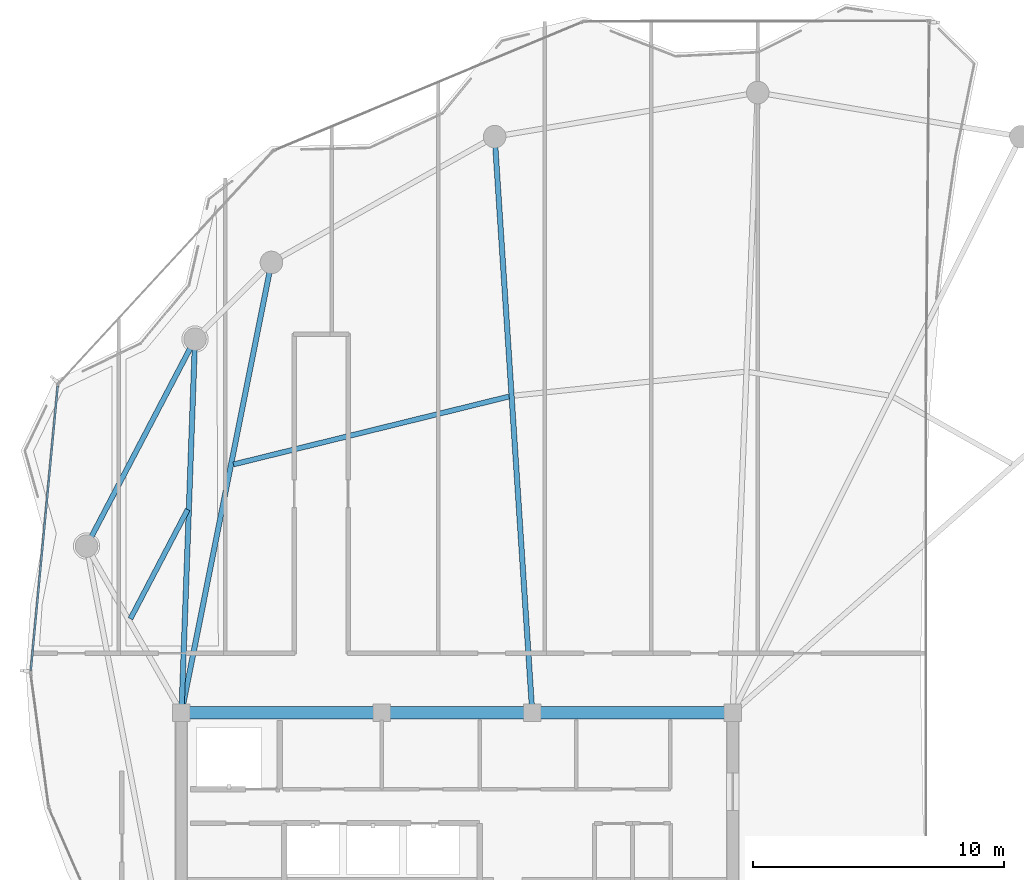
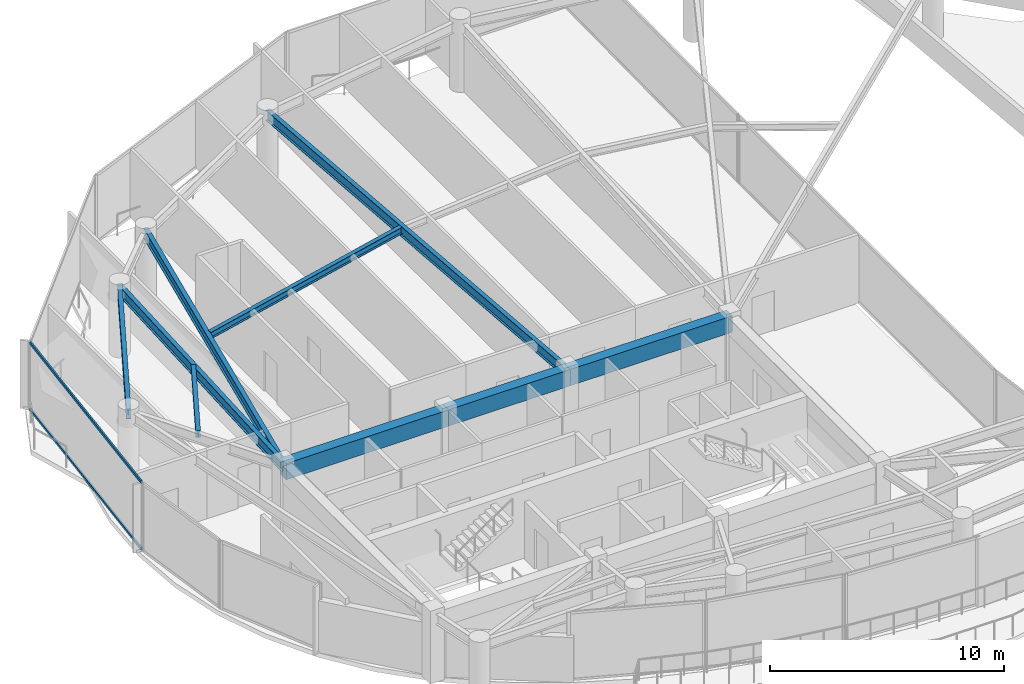
# One storey, part 8 of 22: 9 beams, 2 members, 1 element without a shape of its own.
"""IFC4 building model written with IfcOpenShell, lengths in metres."""

from ifc_helpers import new_model, si_unit, direction, frame, origin, origin_2d, place, context, subcontext, project, spatial, rectangle, hollow_rectangle, i_section, extrude, material, layer, layer_set, material_profile, profile_set, type_object, element, aggregate, save


model = new_model("IFC4")

# Units and contexts
model_context = context("Model", 3, precision=1e-05, world=origin(), true_north=direction((0.0, 1.0)))
body_context = subcontext(model_context, "Body", "Model", "MODEL_VIEW")
ifc_project = project(units=[si_unit("LENGTHUNIT", "METRE"), si_unit("AREAUNIT", "SQUARE_METRE"), si_unit("VOLUMEUNIT", "CUBIC_METRE"), si_unit("PLANEANGLEUNIT", "RADIAN"), si_unit("MASSUNIT", "GRAM", prefix="KILO")], contexts=[model_context])

# Site, building, storey
site_placement = place(None, origin())
site = spatial("IfcSite", under=ifc_project, at=site_placement, CompositionType="ELEMENT")
building_placement = place(site_placement, origin())
building = spatial("IfcBuilding", under=site, at=building_placement, Name="Kazevale Care Tower and Concert Hall", CompositionType="ELEMENT")
storey_placement = place(building_placement, frame((0.0, 0.0, 273.800048828125)))
storey = spatial("IfcBuildingStorey", under=building, at=storey_placement, Name="L72", CompositionType="ELEMENT", Elevation=273.800048828125)

# Curtain wall, members
ifc_material_1 = material(Name="Aluminium 6063-T6 and Low-E Glass", Category="aluminium")
ifc_layer = layer(ifc_material_1, 0.179931640625)
ifc_layer_set = layer_set([ifc_layer], Name="Aluminium 6063-T6 and Low-E Glass")
curtain_wall_type = type_object("IfcCurtainWallType", Name="Waist & Upper Residential Curtain Wall CW-4", PredefinedType="NOTDEFINED", material=ifc_layer_set)
curtain_wall_placement = place(storey_placement, origin())
curtain_wall = element("IfcCurtainWall", 1, at=curtain_wall_placement, inside=storey, type_object=curtain_wall_type, Name="cw:L72:f09", PredefinedType="NOTDEFINED")
ifc_material_2 = material(Name="Aluminium 6063-T6", Category="aluminium")
ifc_material_profile_1 = material_profile(ifc_material_2, hollow_rectangle(XDim=0.080078125, YDim=0.139892578125, WallThickness=0.00390625, at=origin_2d()), Name="ALU80x140x4")
ifc_profile_set_1 = profile_set([ifc_material_profile_1], Name="Aluminium 6063-T6")
member_type = type_object("IfcMemberType", Name="CW-4 Transom ALU80x140x4", PredefinedType="USERDEFINED", material=ifc_profile_set_1)
member_1_placement = place(storey_placement, frame((15.987548828125, 38.07958984375, 0.0400390625), z_axis=(0.094240412588, 0.995549468703, 0.0), x_axis=(-0.995549468703, 0.094240412588, 0.0)))
member_1 = element("IfcMember", 2, at=member_1_placement, type_object=member_type, Name="CW-4 transom 1.1", ObjectType="TRANSOM", PredefinedType="USERDEFINED", context=body_context, shape_type="SweptSolid", body=[
    extrude(hollow_rectangle(XDim=0.080078125, YDim=0.139892578125, WallThickness=0.00390625, at=origin_2d()), origin(), (0.0, 0.0, 1.0), 11.406494140625),
])
member_2_placement = place(storey_placement, frame((15.987548828125, 38.07958984375, 3.52001953125), z_axis=(0.094240412588, 0.995549468703, 0.0), x_axis=(-0.995549468703, 0.094240412588, 0.0)))
member_2 = element("IfcMember", 3, at=member_2_placement, type_object=member_type, Name="CW-4 transom 1.2", ObjectType="TRANSOM", PredefinedType="USERDEFINED", context=body_context, shape_type="SweptSolid", body=[
    extrude(hollow_rectangle(XDim=0.080078125, YDim=0.139892578125, WallThickness=0.00390625, at=origin_2d()), origin(), (0.0, 0.0, 1.0), 11.406494140625),
])
aggregate(curtain_wall, [member_1, member_2])

# Beams
ifc_material_3 = material(Name="Concrete C60", Category="concrete")
ifc_material_profile_2 = material_profile(ifc_material_3, rectangle(XDim=0.5, YDim=0.85009765625, at=origin_2d()), Name="RC-B500x850")
ifc_profile_set_2 = profile_set([ifc_material_profile_2], Name="Concrete C60")
beam_type_1 = type_object("IfcBeamType", Name="Core Coupling Beam RC500x850", PredefinedType="LINTEL", material=ifc_profile_set_2)
beam_1_placement = place(storey_placement, frame((44.0, 36.39990234375, 3.135009765625), z_axis=(-1.0, 0.0, 0.0), x_axis=(0.0, -1.0, 0.0)))
element("IfcBeam", 4, at=beam_1_placement, inside=storey, type_object=beam_type_1, Name="beam:L72:coretie:5", PredefinedType="LINTEL", context=body_context, shape_type="SweptSolid", body=[
    extrude(rectangle(XDim=0.5, YDim=0.85009765625, at=origin_2d()), origin(), (0.0, 0.0, 1.0), 8.0),
])
beam_2_placement = place(storey_placement, frame((36.0, 36.39990234375, 3.135009765625), z_axis=(-1.0, 0.0, 0.0), x_axis=(0.0, -1.0, 0.0)))
element("IfcBeam", 5, at=beam_2_placement, inside=storey, type_object=beam_type_1, Name="beam:L72:coretie:6", PredefinedType="LINTEL", context=body_context, shape_type="SweptSolid", body=[
    extrude(rectangle(XDim=0.5, YDim=0.85009765625, at=origin_2d()), origin(), (0.0, 0.0, 1.0), 6.0),
])
beam_3_placement = place(storey_placement, frame((30.0, 36.39990234375, 3.135009765625), z_axis=(-1.0, 0.0, 0.0), x_axis=(0.0, -1.0, 0.0)))
element("IfcBeam", 6, at=beam_3_placement, inside=storey, type_object=beam_type_1, Name="beam:L72:coretie:7", PredefinedType="LINTEL", context=body_context, shape_type="SweptSolid", body=[
    extrude(rectangle(XDim=0.5, YDim=0.85009765625, at=origin_2d()), origin(), (0.0, 0.0, 1.0), 8.0),
])
ifc_material_4 = material(Name="Steel ASTM A572 Gr 50", Category="steel")
ifc_material_profile_3 = material_profile(ifc_material_4, i_section(OverallWidth=0.2119140625, OverallDepth=0.5439453125, WebThickness=0.01318359375, FlangeThickness=0.021240234375, at=origin_2d()), Name="W530x123")
ifc_profile_set_3 = profile_set([ifc_material_profile_3], Name="Steel ASTM A572 Gr 50")
beam_type_2 = type_object("IfcBeamType", Name="Radial Floor Girder W530x123", PredefinedType="BEAM", material=ifc_profile_set_3)
beam_4_placement = place(storey_placement, frame((36.0, 36.39990234375, 3.287841796875), z_axis=(-0.0651073525, 0.997878265446, 0.0), x_axis=(-0.997878265446, -0.0651073525, 0.0)))
element("IfcBeam", 7, at=beam_4_placement, inside=storey, type_object=beam_type_2, Name="beam:L72:rad:06", PredefinedType="BEAM", context=body_context, shape_type="SweptSolid", body=[
    extrude(i_section(OverallWidth=0.2119140625, OverallDepth=0.5439453125, WebThickness=0.01318359375, FlangeThickness=0.021240234375, at=origin_2d()), origin(), (0.0, 0.0, 1.0), 23.038818359375),
])
beam_5_placement = place(storey_placement, frame((22.0, 36.39990234375, 3.287841796875), z_axis=(0.195908605871, 0.980622158706, 0.0), x_axis=(-0.980622158706, 0.195908605871, 0.0)))
element("IfcBeam", 8, at=beam_5_placement, inside=storey, type_object=beam_type_2, Name="beam:L72:rad:07", PredefinedType="BEAM", context=body_context, shape_type="SweptSolid", body=[
    extrude(i_section(OverallWidth=0.2119140625, OverallDepth=0.5439453125, WebThickness=0.01318359375, FlangeThickness=0.021240234375, at=origin_2d()), origin(), (0.0, 0.0, 1.0), 18.325439453125),
])
beam_6_placement = place(storey_placement, frame((22.0, 36.39990234375, 3.287841796875), z_axis=(0.036195810092, 0.999344716968, 0.0), x_axis=(-0.999344716968, 0.036195810092, 0.0)))
element("IfcBeam", 9, at=beam_6_placement, inside=storey, type_object=beam_type_2, Name="beam:L72:rad:08", PredefinedType="BEAM", context=body_context, shape_type="SweptSolid", body=[
    extrude(i_section(OverallWidth=0.2119140625, OverallDepth=0.5439453125, WebThickness=0.01318359375, FlangeThickness=0.021240234375, at=origin_2d()), origin(), (0.0, 0.0, 1.0), 14.919921875),
])
ifc_material_profile_4 = material_profile(ifc_material_4, i_section(OverallWidth=0.205078125, OverallDepth=0.35400390625, WebThickness=0.009521484375, FlangeThickness=0.016845703125, at=origin_2d()), Name="W360x79")
ifc_profile_set_4 = profile_set([ifc_material_profile_4], Name="Steel ASTM A572 Gr 50")
beam_type_3 = type_object("IfcBeamType", Name="Secondary Floor Joist W360x79", PredefinedType="JOIST", material=ifc_profile_set_4)
beam_7_placement = place(storey_placement, frame((35.072998046875, 49.01904296875, 3.383056640625), z_axis=(-0.970953581022, -0.239267932452, 0.0), x_axis=(0.239267932452, -0.970953581022, 0.0)))
element("IfcBeam", 10, at=beam_7_placement, inside=storey, type_object=beam_type_3, Name="beam:L72:joist:06", PredefinedType="JOIST", context=body_context, shape_type="SweptSolid", body=[
    extrude(i_section(OverallWidth=0.205078125, OverallDepth=0.35400390625, WebThickness=0.009521484375, FlangeThickness=0.016845703125, at=origin_2d()), origin(), (0.0, 0.0, 1.0), 11.326171875),
])
beam_8_placement = place(storey_placement, frame((22.248046875, 44.508056640625, 3.383056640625), z_axis=(-0.46418126854, -0.885740227119, 0.0), x_axis=(0.885740227119, -0.46418126854, 0.0)))
element("IfcBeam", 11, at=beam_8_placement, inside=storey, type_object=beam_type_3, Name="beam:L72:joist:08", PredefinedType="JOIST", context=body_context, shape_type="SweptSolid", body=[
    extrude(i_section(OverallWidth=0.205078125, OverallDepth=0.35400390625, WebThickness=0.009521484375, FlangeThickness=0.016845703125, at=origin_2d()), origin(), (0.0, 0.0, 1.0), 4.92041015625),
])
ifc_material_profile_5 = material_profile(ifc_material_4, i_section(OverallWidth=0.208984375, OverallDepth=0.532958984375, WebThickness=0.01025390625, FlangeThickness=0.015625, at=origin_2d()), Name="W530x92")
ifc_profile_set_5 = profile_set([ifc_material_profile_5], Name="Steel ASTM A572 Gr 50")
beam_type_4 = type_object("IfcBeamType", Name="Upper Ring Beam W530x92", PredefinedType="BEAM", material=ifc_profile_set_5)
beam_9_placement = place(storey_placement, frame((22.5400390625, 51.31005859375, 3.29345703125), z_axis=(-0.464293577914, -0.885681361161, 0.0), x_axis=(0.885681361161, -0.464293577914, 0.0)))
element("IfcBeam", 12, at=beam_9_placement, inside=storey, type_object=beam_type_4, Name="beam:L72:ring:08", PredefinedType="BEAM", context=body_context, shape_type="SweptSolid", body=[
    extrude(i_section(OverallWidth=0.208984375, OverallDepth=0.532958984375, WebThickness=0.01025390625, FlangeThickness=0.015625, at=origin_2d()), origin(), (0.0, 0.0, 1.0), 9.326171875),
])

save(model, "model.ifc")
